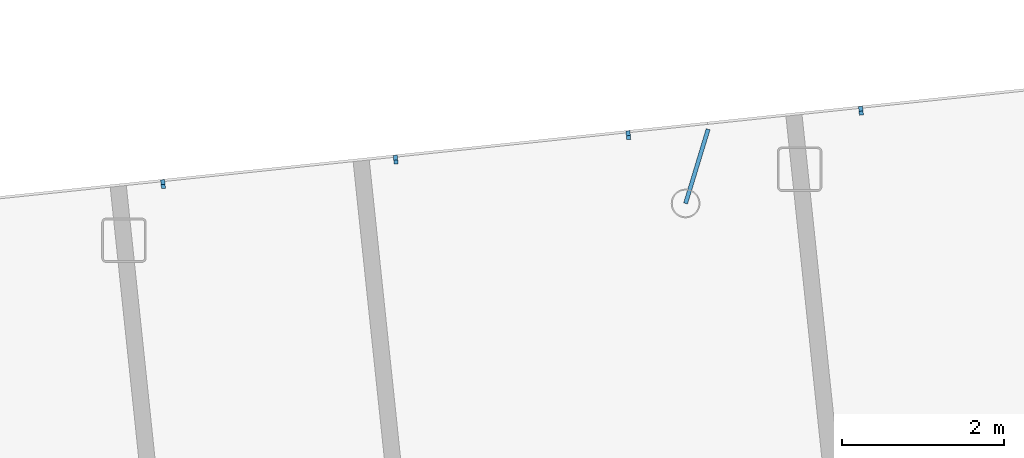
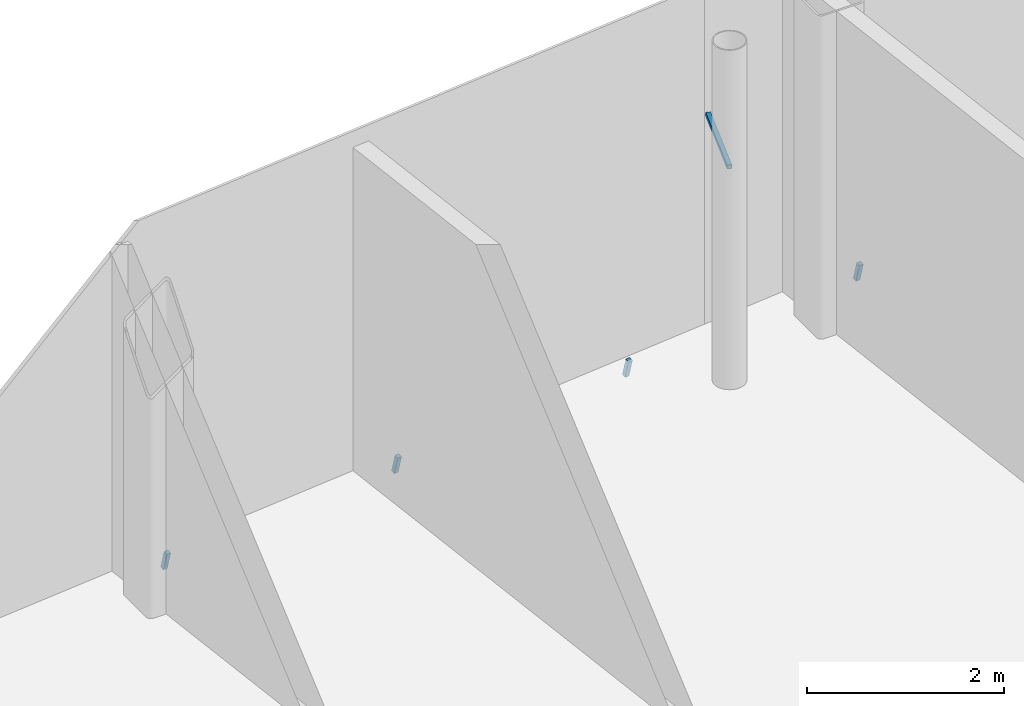
# One storey, part 23 of 28: 5 discrete accessories.
"""IFC4 building model written with IfcOpenShell, lengths in metres."""

from ifc_helpers import new_model, si_unit, direction, frame, origin, origin_2d, place, context, subcontext, project, spatial, rectangle, extrude, material, material_profile, profile_set, type_object, element, save


model = new_model("IFC4")

# Units and contexts
model_context = context("Model", 3, precision=1e-05, world=origin(), true_north=direction((0.0, 1.0)))
body_context = subcontext(model_context, "Body", "Model", "MODEL_VIEW")
ifc_project = project(units=[si_unit("LENGTHUNIT", "METRE"), si_unit("AREAUNIT", "SQUARE_METRE"), si_unit("VOLUMEUNIT", "CUBIC_METRE"), si_unit("PLANEANGLEUNIT", "RADIAN"), si_unit("MASSUNIT", "GRAM", prefix="KILO")], contexts=[model_context])

# Site, building, storey
site_placement = place(None, origin())
site = spatial("IfcSite", under=ifc_project, at=site_placement, CompositionType="ELEMENT")
building_placement = place(site_placement, origin())
building = spatial("IfcBuilding", under=site, at=building_placement, Name="Hakoniwa Tower and Hamabe Station Hall", CompositionType="ELEMENT")
storey_placement = place(building_placement, frame((0.0, 0.0, 280.800048828125)))
storey = spatial("IfcBuildingStorey", under=building, at=storey_placement, Name="L78", CompositionType="ELEMENT", Elevation=280.800048828125)

# Discrete accessories
ifc_material = material(Name="Stainless steel SUS304", Category="steel")
ifc_material_profile = material_profile(ifc_material, rectangle(XDim=0.050048828125, YDim=0.050048828125, at=origin_2d()), Name="CW-4 GLAZING BRACKET 50X50")
ifc_profile_set = profile_set([ifc_material_profile], Name="Stainless steel SUS304")
discrete_accessory_type = type_object("IfcDiscreteAccessoryType", Name="CW-4 GLAZING BRACKET 50X50", PredefinedType="BRACKET", material=ifc_profile_set)
discrete_accessory_placement = place(storey_placement, frame((22.195556640625, 22.1376953125, 2.63330078125), z_axis=(-0.290614747072, -0.956840147979, 0.0), x_axis=(0.956840147979, -0.290614747072, 0.0)))
element("IfcDiscreteAccessory", 1, at=discrete_accessory_placement, inside=storey, type_object=discrete_accessory_type, Name="Glazing bracket", PredefinedType="BRACKET", context=body_context, shape_type="SweptSolid", body=[
    extrude(rectangle(XDim=0.050048828125, YDim=0.050048828125, at=origin_2d()), origin(), (0.0, 0.0, 1.0), 0.95947265625),
])
for number, where, z_axis, x_axis, name in (
    (2, (15.459228515625, 21.4296875, 0.0), (-0.026203593749, 0.255747074986, -0.966388537448), (-0.994792043555, -0.101925414299, 0.0), "Glazing bracket"),
    (3, (18.335693359375, 21.73193359375, 0.0), (-0.027243657589, 0.256719081131, -0.966102011438), (-0.994416132921, -0.10552987533, 0.0), "Glazing bracket"),
    (4, (21.212158203125, 22.0341796875, 0.0), (-0.027243657589, 0.256719081131, -0.966102011438), (-0.994416132921, -0.10552987533, 0.0), "Glazing bracket"),
    (5, (24.08837890625, 22.336669921875, 0.0), (-0.026203593749, 0.255747074986, -0.966388537448), (-0.994792043555, -0.101925414299, 0.0), "Glazing bracket"),
):
    element("IfcDiscreteAccessory", number, at=place(storey_placement, frame(where, z_axis=z_axis, x_axis=x_axis)), inside=storey, type_object=discrete_accessory_type, Name=name, PredefinedType="BRACKET", context=body_context, shape_type="SweptSolid", body=[
        extrude(rectangle(XDim=0.050048828125, YDim=0.050048828125, at=origin_2d()), origin(), (0.0, 0.0, 1.0), 0.23291015625),
    ])

save(model, "model.ifc")
